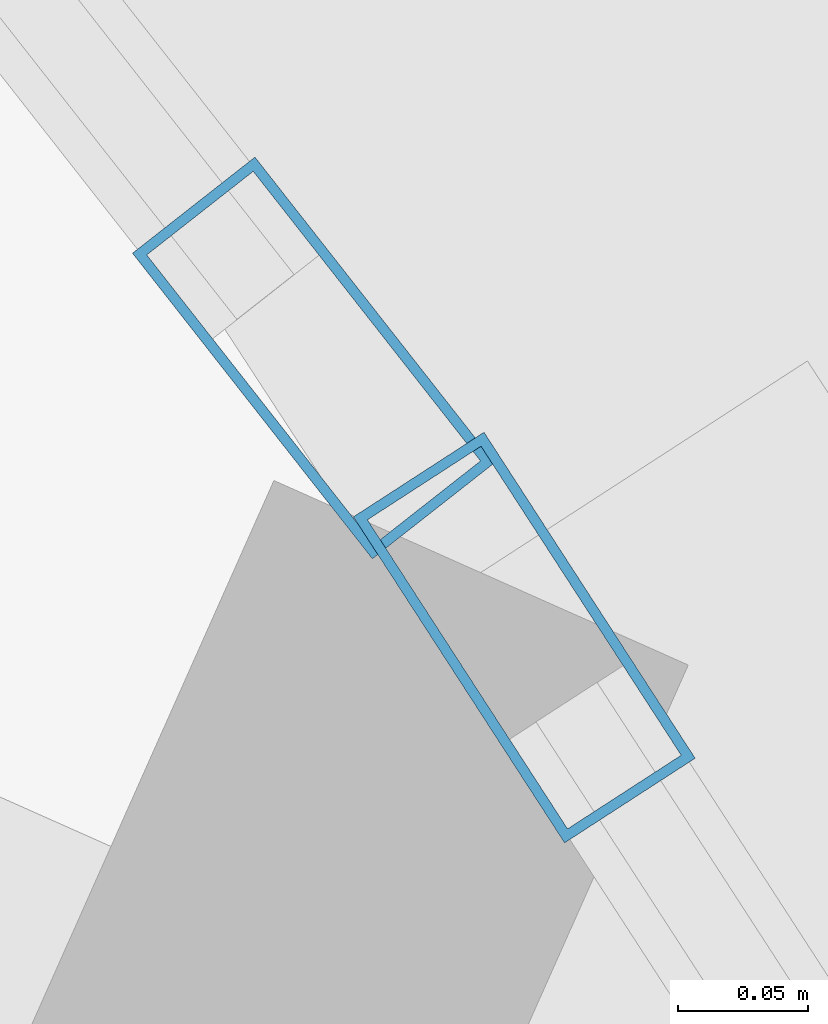
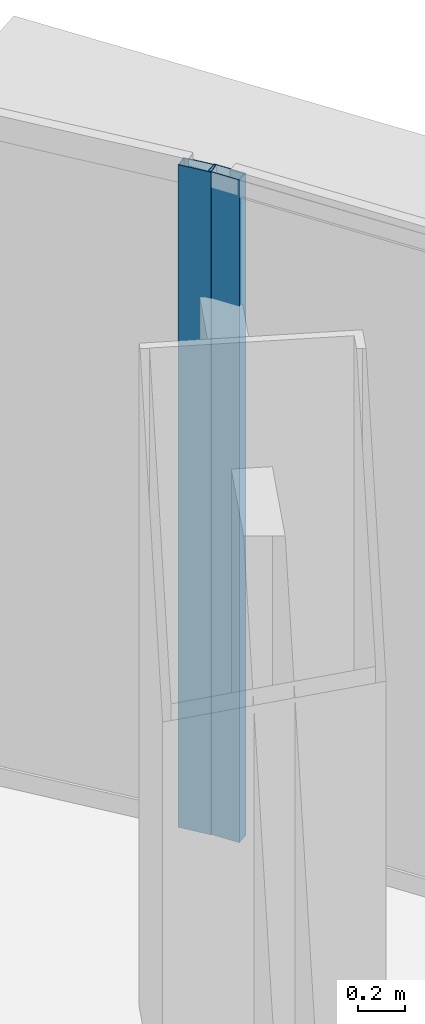
# One storey, part 20 of 39: 2 members, 2 elements without a shape of their own.
"""IFC4 building model written with IfcOpenShell, lengths in metres."""

import ifcopenshell
import ifcopenshell.guid

model = None  # the IFC model being written
_history = None  # IfcOwnerHistory: only IFC2X3 demands one
_inside = {}  # id of a spatial element -> (the spatial element, [elements in it])
_under = {}  # id of a project, library or spatial element -> (it, [spatial elements below it])
_declared = {}  # id of a project -> (the project, [libraries it declares])
_typed = {}  # id of a type object -> (the type object, [elements of that type])
_made_of = {}  # id of a material, layer set ... -> (it, [elements and type objects made of it])


def new_model(schema):
    """Start an empty IFC model of exactly this schema.

    Asked for "IFC4X3", IfcOpenShell would pick the latest addendum, in which some entities
    have other attributes; the version numbers below select the first issue.
    IFC2X3 requires an IfcOwnerHistory on every rooted entity: one is made here for all.
    """
    global model, _history
    if schema == "IFC4X3":
        model = ifcopenshell.file(schema_version=(4, 3, 0, 0))
    else:
        model = ifcopenshell.file(schema=schema)
    _inside.clear()
    _under.clear()
    _declared.clear()
    _typed.clear()
    _made_of.clear()
    _history = None
    if model.schema == "IFC2X3":
        org = make("IfcOrganization", Name="unknown")
        user = make(
            "IfcPersonAndOrganization",
            ThePerson=make("IfcPerson", FamilyName="unknown"),
            TheOrganization=org,
        )
        app = make(
            "IfcApplication",
            ApplicationDeveloper=org,
            Version="unknown",
            ApplicationFullName="unknown",
            ApplicationIdentifier="unknown",
        )
        _history = make(
            "IfcOwnerHistory",
            OwningUser=user,
            OwningApplication=app,
            ChangeAction="ADDED",
            CreationDate=0,
        )
    return model


def make(cls, **values):
    """One entity of the class cls with the attributes given. An attribute that is None is left unset."""
    return model.create_entity(
        cls, **{name: value for name, value in values.items() if value is not None}
    )


def rooted(cls, **values):
    """An entity with a GlobalId (a new one), such as an element, a storey or a relation."""
    return make(cls, GlobalId=ifcopenshell.guid.new(), OwnerHistory=_history, **values)


def si_unit(unit_type, name, prefix=None):
    """IfcSIUnit, for example si_unit("LENGTHUNIT", "METRE", prefix="MILLI")."""
    return make("IfcSIUnit", UnitType=unit_type, Prefix=prefix, Name=name)


def assignment(units):
    """IfcUnitAssignment: the units of a project."""
    return None if units is None else make("IfcUnitAssignment", Units=units)


def point(xyz):
    """IfcCartesianPoint."""
    return None if xyz is None else make("IfcCartesianPoint", Coordinates=xyz)


def direction(xyz):
    """IfcDirection."""
    return None if xyz is None else make("IfcDirection", DirectionRatios=xyz)


def frame(location, z_axis=None, x_axis=None):
    """IfcAxis2Placement3D, a coordinate frame: its origin and axes. An axis left out is left unset."""
    return make(
        "IfcAxis2Placement3D",
        Location=point(location),
        Axis=direction(z_axis),
        RefDirection=direction(x_axis),
    )


def frame_2d(location, x_axis=None):
    """IfcAxis2Placement2D, a coordinate frame in the plane: its origin and x axis."""
    return make(
        "IfcAxis2Placement2D", Location=point(location), RefDirection=direction(x_axis)
    )


def origin():
    """The frame at (0, 0, 0) with its axes left unset."""
    return frame((0.0, 0.0, 0.0))


def origin_2d():
    """The frame at (0, 0) in the plane with its x axis left unset."""
    return frame_2d((0.0, 0.0))


def place(relative_to, where):
    """IfcLocalPlacement: puts the frame where relative to a parent placement (None: the world)."""
    return make(
        "IfcLocalPlacement", PlacementRelTo=relative_to, RelativePlacement=where
    )


def context(
    kind, dimensions, precision=None, world=None, true_north=None, identifier=None
):
    """IfcGeometricRepresentationContext, for example the 3D "Model" context."""
    return make(
        "IfcGeometricRepresentationContext",
        ContextIdentifier=identifier,
        ContextType=kind,
        CoordinateSpaceDimension=dimensions,
        Precision=precision,
        WorldCoordinateSystem=world,
        TrueNorth=true_north,
    )


def subcontext(parent, identifier, kind, view, scale=None):
    """IfcGeometricRepresentationSubContext, for example "Body" below "Model"."""
    return make(
        "IfcGeometricRepresentationSubContext",
        ContextIdentifier=identifier,
        ContextType=kind,
        ParentContext=parent,
        TargetScale=scale,
        TargetView=view,
    )


def project(units=None, contexts=None):
    """IfcProject with its units and contexts."""
    return rooted(
        "IfcProject",
        Name="project",
        RepresentationContexts=contexts,
        UnitsInContext=assignment(units),
    )


def spatial(cls, under=None, at=None, **own):
    """A site, building, storey or space (cls), placed at a placement, below another one or the project."""
    s = rooted(cls, ObjectPlacement=at, **own)
    if under is not None:
        _under.setdefault(under.id(), (under, []))[1].append(s)
    return s


def profile(cls, at=None, kind="AREA", **sizes):
    """A parametric profile (cls). Its sizes go by their IFC names, for example OverallWidth=200.0."""
    return make(cls, ProfileType=kind, Position=at, **sizes)


def hollow_rectangle(**sizes):
    """IfcRectangleHollowProfileDef."""
    return profile("IfcRectangleHollowProfileDef", **sizes)


def extrude(swept, where, along, depth):
    """IfcExtrudedAreaSolid: the profile swept, set in the frame where, extruded along a direction by depth."""
    return make(
        "IfcExtrudedAreaSolid",
        SweptArea=swept,
        Position=where,
        ExtrudedDirection=direction(along),
        Depth=depth,
    )


def shape(context_of_items, identifier, shape_type, items):
    """IfcShapeRepresentation: the items that make up one representation, for example the "Body"."""
    return make(
        "IfcShapeRepresentation",
        ContextOfItems=context_of_items,
        RepresentationIdentifier=identifier,
        RepresentationType=shape_type,
        Items=items,
    )


def source(mapping_origin, context_of_items, identifier, shape_type, items):
    """IfcRepresentationMap: a shape defined once, which mapped items show again and again."""
    return make(
        "IfcRepresentationMap",
        MappingOrigin=mapping_origin,
        MappedRepresentation=shape(context_of_items, identifier, shape_type, items),
    )


def transform(
    local_origin,
    x_axis=None,
    y_axis=None,
    z_axis=None,
    scale=None,
    scale2=None,
    scale3=None,
    uniform=True,
):
    """IfcCartesianTransformationOperator3D, or its non-uniform kind. x_axis, y_axis, z_axis: its Axis1, 2, 3."""
    if uniform:
        return make(
            "IfcCartesianTransformationOperator3D",
            Axis1=direction(x_axis),
            Axis2=direction(y_axis),
            LocalOrigin=point(local_origin),
            Scale=scale,
            Axis3=direction(z_axis),
        )
    return make(
        "IfcCartesianTransformationOperator3DnonUniform",
        Axis1=direction(x_axis),
        Axis2=direction(y_axis),
        LocalOrigin=point(local_origin),
        Scale=scale,
        Axis3=direction(z_axis),
        Scale2=scale2,
        Scale3=scale3,
    )


def mapped(mapping_source, mapping_target):
    """IfcMappedItem: shows the shape of a source again, moved by a transform."""
    return make(
        "IfcMappedItem", MappingSource=mapping_source, MappingTarget=mapping_target
    )


def material(Name=None, Category=None):
    """IfcMaterial."""
    return make("IfcMaterial", Name=Name, Category=Category)


def layer(
    of_material, thickness, ventilated=None, Name=None, Category=None, Priority=None
):
    """IfcMaterialLayer: one layer of a wall or slab, of a material (None: an air gap)."""
    return make(
        "IfcMaterialLayer",
        Material=of_material,
        LayerThickness=thickness,
        IsVentilated=ventilated,
        Name=Name,
        Category=Category,
        Priority=Priority,
    )


def layer_set(layers, Name=None):
    """IfcMaterialLayerSet."""
    return make("IfcMaterialLayerSet", MaterialLayers=layers, LayerSetName=Name)


def material_profile(
    of_material, cross_section, Name=None, Category=None, Priority=None
):
    """IfcMaterialProfile: a cross section and its material."""
    return make(
        "IfcMaterialProfile",
        Name=Name,
        Material=of_material,
        Profile=cross_section,
        Priority=Priority,
        Category=Category,
    )


def profile_set(profiles, Name=None, composite=None):
    """IfcMaterialProfileSet."""
    return make(
        "IfcMaterialProfileSet",
        Name=Name,
        MaterialProfiles=profiles,
        CompositeProfile=composite,
    )


def made_of(thing, what):
    """Note that an element or type object is made of a material, layer set ...; save() writes the relation."""
    if what is not None:
        _made_of.setdefault(what.id(), (what, []))[1].append(thing)
    return thing


def type_object(cls, material=None, **own):
    """A type object (cls), such as IfcWallType, which elements share."""
    return made_of(rooted(cls, **own), material)


def element(
    cls,
    number,
    at=None,
    inside=None,
    cuts=None,
    type_object=None,
    material=None,
    context=None,
    identifier="Body",
    shape_type=None,
    held_by="IfcProductDefinitionShape",
    body=None,
    shapes=None,
    **own,
):
    """One element of the class cls, such as IfcWall. Its Tag is "e" and its number.

    at: its placement. inside: the storey or other place that contains it. cuts: it is an
    opening in that element (IfcRelVoidsElement). A single representation is given by context,
    identifier, shape_type and body (its items); several are given by shapes. held_by: the class
    of the entity that holds the representations. save() writes the other relations.
    """
    e = rooted(cls, Tag="e%d" % number, ObjectPlacement=at, **own)
    if body is not None:
        shapes = [shape(context, identifier, shape_type, body)]
    if shapes is not None:
        e.Representation = make(held_by, Representations=shapes)
    if inside is not None:
        _inside.setdefault(inside.id(), (inside, []))[1].append(e)
    if cuts is not None:
        rooted(
            "IfcRelVoidsElement", RelatingBuildingElement=cuts, RelatedOpeningElement=e
        )
    if type_object is not None:
        _typed.setdefault(type_object.id(), (type_object, []))[1].append(e)
    return made_of(e, material)


def aggregate(whole, parts):
    """IfcRelAggregates: a whole, such as a stair, and the parts it consists of."""
    return rooted("IfcRelAggregates", RelatingObject=whole, RelatedObjects=parts)


def save(model, path):
    """Write the relations noted so far, then the file.

    IfcRelAggregates (storeys below a building ...), IfcRelContainedInSpatialStructure (elements
    in a storey), IfcRelDefinesByType, IfcRelAssociatesMaterial and IfcRelDeclares: one each for
    every whole, place, type object, material and project.
    """
    for whole, parts in _under.values():
        aggregate(whole, parts)
    for where, things in _inside.values():
        rooted(
            "IfcRelContainedInSpatialStructure",
            RelatedElements=things,
            RelatingStructure=where,
        )
    for kind, things in _typed.values():
        rooted("IfcRelDefinesByType", RelatedObjects=things, RelatingType=kind)
    for what, things in _made_of.values():
        rooted("IfcRelAssociatesMaterial", RelatedObjects=things, RelatingMaterial=what)
    for by, libraries in _declared.values():
        rooted("IfcRelDeclares", RelatingContext=by, RelatedDefinitions=libraries)
    model.write(path)


model = new_model("IFC4")

# Units and contexts
model_context = context("Model", 3, precision=1e-05, world=origin(), true_north=direction((0.0, 1.0)))
body_context = subcontext(model_context, "Body", "Model", "MODEL_VIEW")
ifc_project = project(units=[si_unit("LENGTHUNIT", "METRE"), si_unit("AREAUNIT", "SQUARE_METRE"), si_unit("VOLUMEUNIT", "CUBIC_METRE"), si_unit("PLANEANGLEUNIT", "RADIAN"), si_unit("MASSUNIT", "GRAM", prefix="KILO"), si_unit("THERMODYNAMICTEMPERATUREUNIT", "KELVIN"), si_unit("POWERUNIT", "WATT")], contexts=[model_context])

# Site, building, storey
site_placement = place(None, origin())
site = spatial("IfcSite", under=ifc_project, at=site_placement, CompositionType="ELEMENT")
building_placement = place(site_placement, origin())
building = spatial("IfcBuilding", under=site, at=building_placement, Name="Yunzhuo Pagoda Commons", CompositionType="ELEMENT")
storey_placement = place(building_placement, frame((0.0, 0.0, 148.22998046875)))
storey = spatial("IfcBuildingStorey", under=building, at=storey_placement, Name="L37", CompositionType="ELEMENT", Elevation=148.22998046875)

# Curtain wall, member
ifc_material = material(Name="Anodized aluminium 6063-T6", Category="aluminium")
ifc_layer = layer(ifc_material, 0.14990234375)
ifc_layer_set = layer_set([ifc_layer], Name="Anodized aluminium 6063-T6")
curtain_wall_type = type_object("IfcCurtainWallType", Name="CW-MID Mid-Zone Ribbon Curtain Wall", PredefinedType="NOTDEFINED", material=ifc_layer_set)
curtain_wall_1_placement = place(storey_placement, origin())
curtain_wall_1 = element("IfcCurtainWall", 1, at=curtain_wall_1_placement, inside=storey, type_object=curtain_wall_type, Name="L37 curtain wall CW-L37-F2B4", PredefinedType="NOTDEFINED")
ifc_material_profile = material_profile(ifc_material, hollow_rectangle(XDim=0.06005859375, YDim=0.14990234375, WallThickness=0.00390625, at=origin_2d()), Name="Anodized aluminium 6063-T6")
ifc_profile_set = profile_set([ifc_material_profile], Name="Anodized aluminium 6063-T6")
member_type = type_object("IfcMemberType", Name="CW-MID-M Mullion RHS 150x60x4", PredefinedType="MULLION", material=ifc_profile_set)
shared_shape = source(origin(), body_context, "Body", "SweptSolid", [
    extrude(hollow_rectangle(XDim=0.06005859375, YDim=0.14990234375, WallThickness=0.00390625, at=origin_2d()), origin(), (0.0, 0.0, 1.0), 3.419677734375),
])
member_1_placement = place(storey_placement, frame((64.117431640625, 69.837890625, 0.000244140625), z_axis=(0.0, 0.0, 1.0), x_axis=(-0.839320281383, -0.543637255216, 0.0)))
member_1 = element("IfcMember", 2, at=member_1_placement, type_object=member_type, Name="CW mullion 2", PredefinedType="MULLION", context=body_context, shape_type="MappedRepresentation", body=[
    mapped(shared_shape, transform((0.0, 0.0, 0.0), scale=1.0)),
])
aggregate(curtain_wall_1, [member_1])

curtain_wall_2_placement = place(storey_placement, origin())
curtain_wall_2 = element("IfcCurtainWall", 3, at=curtain_wall_2_placement, inside=storey, type_object=curtain_wall_type, Name="L37 curtain wall CW-L37-F2B5", PredefinedType="NOTDEFINED")
member_2_placement = place(storey_placement, frame((64.0361328125, 69.94580078125, 0.000244140625), z_axis=(0.0, 0.0, 1.0), x_axis=(-0.786664694453, -0.617380481147, 0.0)))
member_2 = element("IfcMember", 4, at=member_2_placement, type_object=member_type, Name="CW mullion 1", PredefinedType="MULLION", context=body_context, shape_type="MappedRepresentation", body=[
    mapped(shared_shape, transform((0.0, 0.0, 0.0), scale=1.0)),
])
aggregate(curtain_wall_2, [member_2])

save(model, "model.ifc")
